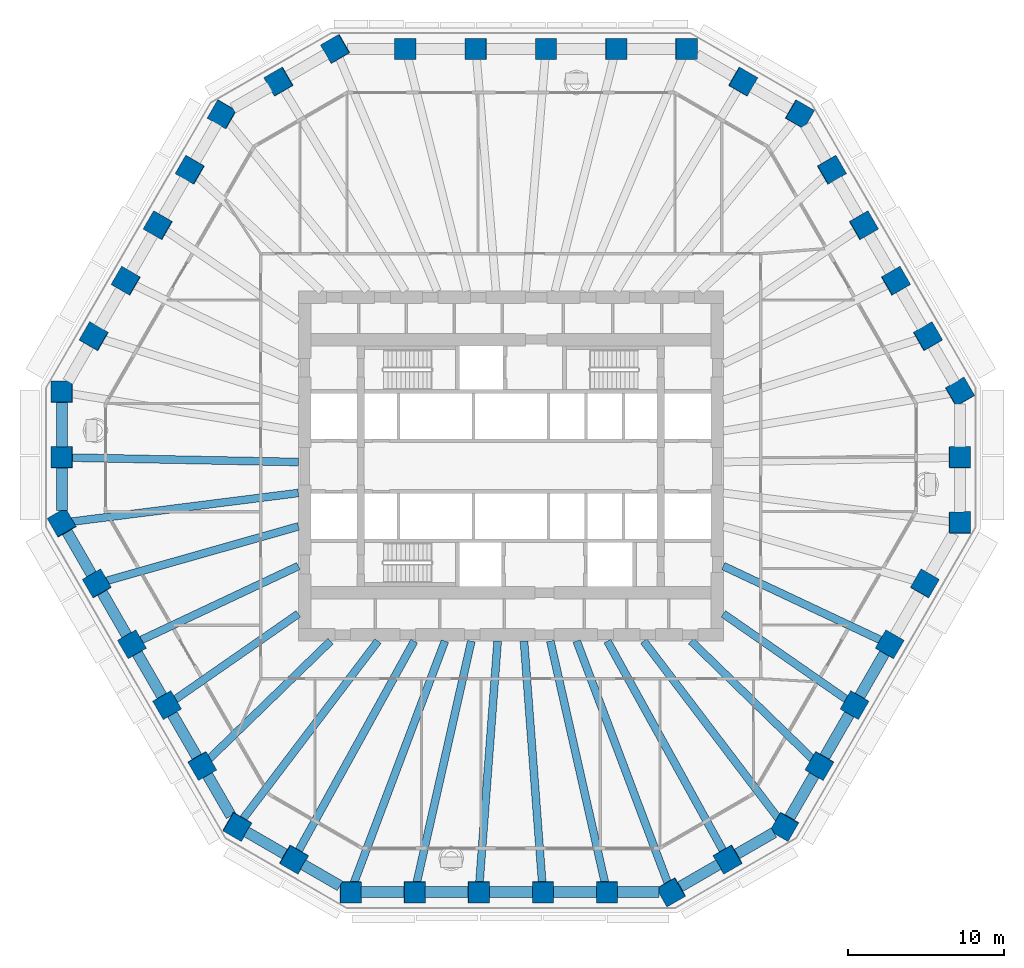
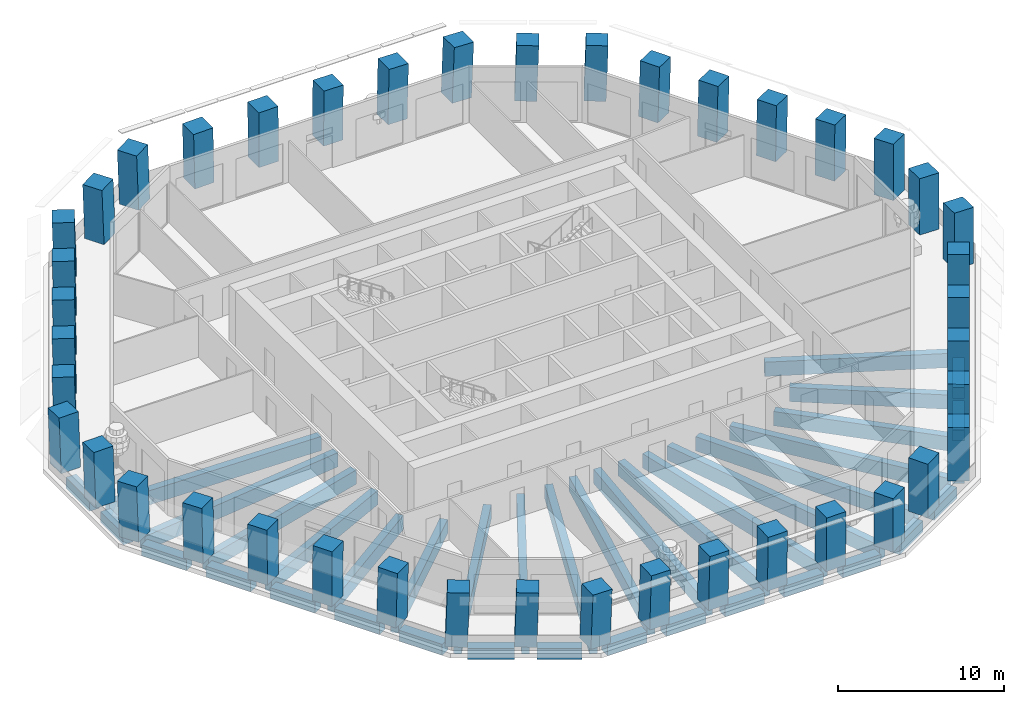
# One storey, part 1 of 13: 42 columns, 38 beams.
"""IFC4 building model written with IfcOpenShell, lengths in metres."""

from ifc_helpers import new_model, si_unit, direction, frame, origin, origin_2d, place, context, subcontext, project, spatial, rectangle, extrude, material, material_profile, profile_set, type_object, element, save


model = new_model("IFC4")

# Units and contexts
model_context = context("Model", 3, precision=1e-05, world=origin(), true_north=direction((0.0, 1.0)))
body_context = subcontext(model_context, "Body", "Model", "MODEL_VIEW")
ifc_project = project(units=[si_unit("LENGTHUNIT", "METRE"), si_unit("AREAUNIT", "SQUARE_METRE"), si_unit("VOLUMEUNIT", "CUBIC_METRE"), si_unit("PLANEANGLEUNIT", "RADIAN"), si_unit("MASSUNIT", "GRAM", prefix="KILO")], contexts=[model_context])

# Site, building, storey
site_placement = place(None, origin())
site = spatial("IfcSite", under=ifc_project, at=site_placement, CompositionType="ELEMENT")
building_placement = place(site_placement, origin())
building = spatial("IfcBuilding", under=site, at=building_placement, Name="Frailejon Research Tower", CompositionType="ELEMENT")
storey_placement = place(building_placement, frame((0.0, 0.0, 98.39990234375)))
storey = spatial("IfcBuildingStorey", under=building, at=storey_placement, Name="L21", CompositionType="ELEMENT", Elevation=98.39990234375)

# Columns
ifc_material_1 = material(Name="Concrete C70/85", Category="concrete")
ifc_material_profile_1 = material_profile(ifc_material_1, rectangle(XDim=1.35009765625, YDim=1.35009765625, at=origin_2d()), Name="Column 1350")
ifc_profile_set_1 = profile_set([ifc_material_profile_1], Name="Concrete C70/85")
column_type = type_object("IfcColumnType", Name="Column 1350", PredefinedType="COLUMN", material=ifc_profile_set_1)
for number, where, z_axis, x_axis, name in (
    (1, (28.732177734375, -3.634521484375, 0.0), (0.018132595726, 0.031445896907, 0.999340965106), (-0.001395592918, 0.999505115145, -0.031425739745), "Column C01"),
    (2, (28.732177734375, 0.552978515625, 0.0), (0.018132595726, 0.031445896907, 0.999340965106), (-0.001395592918, 0.999505115145, -0.031425739745), "Column C02"),
    (3, (28.732177734375, 4.74072265625, 0.0), (0.018132630042, 0.031385715123, 0.999342856388), (-0.500678917491, 0.865443910419, -0.018095842014), "Column C03"),
):
    element("IfcColumn", number, at=place(storey_placement, frame(where, z_axis=z_axis, x_axis=x_axis)), inside=storey, type_object=column_type, Name=name, PredefinedType="COLUMN", context=body_context, shape_type="SweptSolid", body=[
        extrude(rectangle(XDim=1.35009765625, YDim=1.35009765625, at=origin_2d()), origin(), (0.0, 0.0, 1.0), 4.052734375),
    ])
column_1_placement = place(storey_placement, frame((26.679931640625, 8.294921875, 0.0), z_axis=(0.021809609218, 0.025123223878, 0.999446429063), x_axis=(-0.499316957517, 0.86635106376, -0.010881647777)))
element("IfcColumn", 4, at=column_1_placement, inside=storey, type_object=column_type, Name="Column C04", PredefinedType="COLUMN", context=body_context, shape_type="SweptSolid", body=[
    extrude(rectangle(XDim=1.35009765625, YDim=1.35009765625, at=origin_2d()), origin(), (0.0, 0.0, 1.0), 4.05224609375),
])
for number, where, z_axis, x_axis, name in (
    (5, (24.6279296875, 11.849365234375, 0.0), (0.025365582388, 0.018858497119, 0.999500347332), (-0.501191337303, 0.865328971352, -0.0036075963), "Column C05"),
    (6, (22.57568359375, 15.40380859375, 0.0), (0.029040860623, 0.012532155622, 0.999499661576), (-0.499041572146, 0.866570424295, 0.003634419767), "Column C06"),
):
    element("IfcColumn", number, at=place(storey_placement, frame(where, z_axis=z_axis, x_axis=x_axis)), inside=storey, type_object=column_type, Name=name, PredefinedType="COLUMN", context=body_context, shape_type="SweptSolid", body=[
        extrude(rectangle(XDim=1.35009765625, YDim=1.35009765625, at=origin_2d()), origin(), (0.0, 0.0, 1.0), 4.052001953125),
    ])
column_2_placement = place(storey_placement, frame((20.523681640625, 18.9580078125, 0.0), z_axis=(0.032654187208, 0.006265748099, 0.999447069363), x_axis=(-0.499519823947, 0.866234008258, 0.010889831076)))
element("IfcColumn", 7, at=column_2_placement, inside=storey, type_object=column_type, Name="Column C07", PredefinedType="COLUMN", context=body_context, shape_type="SweptSolid", body=[
    extrude(rectangle(XDim=1.35009765625, YDim=1.35009765625, at=origin_2d()), origin(), (0.0, 0.0, 1.0), 4.05224609375),
])
for number, where, z_axis, x_axis, name in (
    (8, (18.4716796875, 22.512451171875, 0.0), (0.036265236264, 0.0, 0.999342199969), (-0.865313546461, 0.500246354177, 0.031401456084), "Column C08"),
    (9, (14.84521484375, 24.606201171875, 0.0), (0.036205074038, 0.0, 0.999344381389), (-0.865315435316, 0.500246354177, 0.031349362627), "Column C09"),
    (10, (11.218505859375, 26.699951171875, 0.0), (0.036265236264, 0.0, 0.999342199969), (-0.999342199969, 0.0, 0.036265236264), "Column C10"),
):
    element("IfcColumn", number, at=place(storey_placement, frame(where, z_axis=z_axis, x_axis=x_axis)), inside=storey, type_object=column_type, Name=name, PredefinedType="COLUMN", context=body_context, shape_type="SweptSolid", body=[
        extrude(rectangle(XDim=1.35009765625, YDim=1.35009765625, at=origin_2d()), origin(), (0.0, 0.0, 1.0), 4.052734375),
    ])
column_3_placement = place(storey_placement, frame((6.731201171875, 26.699951171875, 0.0), z_axis=(0.021756257337, 0.0, 0.999763304621), x_axis=(-0.999763304621, 0.0, 0.021756257337)))
element("IfcColumn", 11, at=column_3_placement, inside=storey, type_object=column_type, Name="Column C11", PredefinedType="COLUMN", context=body_context, shape_type="SweptSolid", body=[
    extrude(rectangle(XDim=1.35009765625, YDim=1.35009765625, at=origin_2d()), origin(), (0.0, 0.0, 1.0), 4.051025390625),
])
for number, where, z_axis, x_axis, name in (
    (12, (2.24365234375, 26.699951171875, 0.0), (0.007293795973, 0.0, 0.999973399916), (-0.999973399916, 0.0, 0.007293795973), "Column C12"),
    (13, (-2.24365234375, 26.699951171875, 0.0), (-0.007293795973, 0.0, 0.999973399916), (-0.999973399916, 0.0, -0.007293795973), "Column C13"),
):
    element("IfcColumn", number, at=place(storey_placement, frame(where, z_axis=z_axis, x_axis=x_axis)), inside=storey, type_object=column_type, Name=name, PredefinedType="COLUMN", context=body_context, shape_type="SweptSolid", body=[
        extrude(rectangle(XDim=1.35009765625, YDim=1.35009765625, at=origin_2d()), origin(), (0.0, 0.0, 1.0), 4.050048828125),
    ])
column_4_placement = place(storey_placement, frame((-6.731201171875, 26.699951171875, 0.0), z_axis=(-0.021756257337, 0.0, 0.999763304621), x_axis=(-0.999763304621, 0.0, -0.021756257337)))
element("IfcColumn", 14, at=column_4_placement, inside=storey, type_object=column_type, Name="Column C14", PredefinedType="COLUMN", context=body_context, shape_type="SweptSolid", body=[
    extrude(rectangle(XDim=1.35009765625, YDim=1.35009765625, at=origin_2d()), origin(), (0.0, 0.0, 1.0), 4.051025390625),
])
for number, where, z_axis, x_axis, name in (
    (15, (-11.218505859375, 26.699951171875, 0.0), (-0.036265236264, 0.0, 0.999342199969), (-0.865313546461, -0.500246354177, -0.031401456084), "Column C15"),
    (16, (-14.84521484375, 24.606201171875, 0.0), (-0.036205074038, 0.0, 0.999344381389), (-0.865315435316, -0.500246354177, -0.031349362627), "Column C16"),
    (17, (-18.4716796875, 22.512451171875, 0.0), (-0.036265236264, 0.0, 0.999342199969), (-0.499424867419, -0.866167613071, -0.018123682572), "Column C17"),
):
    element("IfcColumn", number, at=place(storey_placement, frame(where, z_axis=z_axis, x_axis=x_axis)), inside=storey, type_object=column_type, Name=name, PredefinedType="COLUMN", context=body_context, shape_type="SweptSolid", body=[
        extrude(rectangle(XDim=1.35009765625, YDim=1.35009765625, at=origin_2d()), origin(), (0.0, 0.0, 1.0), 4.052734375),
    ])
column_5_placement = place(storey_placement, frame((-20.523681640625, 18.9580078125, 0.0), z_axis=(-0.032654187208, 0.006265748099, 0.999447069363), x_axis=(-0.499519823947, -0.866234008258, -0.010889831076)))
element("IfcColumn", 18, at=column_5_placement, inside=storey, type_object=column_type, Name="Column C18", PredefinedType="COLUMN", context=body_context, shape_type="SweptSolid", body=[
    extrude(rectangle(XDim=1.35009765625, YDim=1.35009765625, at=origin_2d()), origin(), (0.0, 0.0, 1.0), 4.05224609375),
])
for number, where, z_axis, x_axis, name in (
    (19, (-22.57568359375, 15.40380859375, 0.0), (-0.029040860623, 0.012532155622, 0.999499661576), (-0.499041572146, -0.866570424295, -0.003634419767), "Column C19"),
    (20, (-24.6279296875, 11.849365234375, 0.0), (-0.025365582388, 0.018858497119, 0.999500347332), (-0.501191337303, -0.865328971352, 0.0036075963), "Column C20"),
):
    element("IfcColumn", number, at=place(storey_placement, frame(where, z_axis=z_axis, x_axis=x_axis)), inside=storey, type_object=column_type, Name=name, PredefinedType="COLUMN", context=body_context, shape_type="SweptSolid", body=[
        extrude(rectangle(XDim=1.35009765625, YDim=1.35009765625, at=origin_2d()), origin(), (0.0, 0.0, 1.0), 4.052001953125),
    ])
column_6_placement = place(storey_placement, frame((-26.679931640625, 8.294921875, 0.0), z_axis=(-0.021809609218, 0.025123223878, 0.999446429063), x_axis=(-0.499316957517, -0.86635106376, 0.010881647777)))
element("IfcColumn", 21, at=column_6_placement, inside=storey, type_object=column_type, Name="Column C21", PredefinedType="COLUMN", context=body_context, shape_type="SweptSolid", body=[
    extrude(rectangle(XDim=1.35009765625, YDim=1.35009765625, at=origin_2d()), origin(), (0.0, 0.0, 1.0), 4.05224609375),
])
for number, where, z_axis, x_axis, name in (
    (22, (-28.732177734375, 4.74072265625, 0.0), (-0.018132630042, 0.031385715123, 0.999342856388), (-0.000879091474, -0.999507299139, 0.031374928948), "Column C22"),
    (23, (-28.732177734375, 0.552978515625, 0.0), (-0.018132595726, 0.031445896907, 0.999340965106), (-0.001395592918, -0.999505115145, 0.031425739745), "Column C23"),
    (24, (-28.732177734375, -3.634521484375, 0.0), (-0.018132595726, 0.031445896907, 0.999340965106), (0.498955201563, -0.865867236636, 0.036299247284), "Column C24"),
):
    element("IfcColumn", number, at=place(storey_placement, frame(where, z_axis=z_axis, x_axis=x_axis)), inside=storey, type_object=column_type, Name=name, PredefinedType="COLUMN", context=body_context, shape_type="SweptSolid", body=[
        extrude(rectangle(XDim=1.35009765625, YDim=1.35009765625, at=origin_2d()), origin(), (0.0, 0.0, 1.0), 4.052734375),
    ])
column_7_placement = place(storey_placement, frame((-26.48828125, -7.520751953125, 0.0), z_axis=(-0.010908253887, 0.018863444567, 0.99976256204), x_axis=(0.500638377412, -0.865382225109, 0.021790354016)))
element("IfcColumn", 25, at=column_7_placement, inside=storey, type_object=column_type, Name="Column C25", PredefinedType="COLUMN", context=body_context, shape_type="SweptSolid", body=[
    extrude(rectangle(XDim=1.35009765625, YDim=1.35009765625, at=origin_2d()), origin(), (0.0, 0.0, 1.0), 4.051025390625),
])
for number, where, z_axis, x_axis, name in (
    (26, (-24.24462890625, -11.406982421875, 0.0), (-0.003677036938, 0.006329325876, 0.999973209158), (0.502147149997, -0.864751212075, 0.007319901948), "Column C26"),
    (27, (-22.0009765625, -15.293212890625, 0.0), (0.003616759812, -0.006269050341, 0.999973808685), (0.501883236828, -0.864905101718, -0.007237514304), "Column C27"),
):
    element("IfcColumn", number, at=place(storey_placement, frame(where, z_axis=z_axis, x_axis=x_axis)), inside=storey, type_object=column_type, Name=name, PredefinedType="COLUMN", context=body_context, shape_type="SweptSolid", body=[
        extrude(rectangle(XDim=1.35009765625, YDim=1.35009765625, at=origin_2d()), origin(), (0.0, 0.0, 1.0), 4.050048828125),
    ])
column_8_placement = place(storey_placement, frame((-19.75732421875, -19.17919921875, 0.0), z_axis=(0.010908253887, -0.018863444567, 0.99976256204), x_axis=(0.500638377412, -0.865382225109, -0.021790354016)))
element("IfcColumn", 28, at=column_8_placement, inside=storey, type_object=column_type, Name="Column C28", PredefinedType="COLUMN", context=body_context, shape_type="SweptSolid", body=[
    extrude(rectangle(XDim=1.35009765625, YDim=1.35009765625, at=origin_2d()), origin(), (0.0, 0.0, 1.0), 4.051025390625),
])
for number, where, z_axis, x_axis, name in (
    (29, (-17.513671875, -23.0654296875, 0.0), (0.018132595726, -0.031445896907, 0.999340965106), (0.865740985748, -0.499504693256, -0.031426215359), "Column C29"),
    (30, (-13.88720703125, -25.1591796875, 0.0), (0.018132595726, -0.031445896907, 0.999340965106), (0.865469370655, -0.499974541214, -0.031436071558), "Column C30"),
    (31, (-10.260498046875, -27.253173828125, 0.0), (0.018132630042, -0.031385715123, 0.999342856388), (0.999835440934, 0.001115627466, -0.018106529978), "Column C31"),
):
    element("IfcColumn", number, at=place(storey_placement, frame(where, z_axis=z_axis, x_axis=x_axis)), inside=storey, type_object=column_type, Name=name, PredefinedType="COLUMN", context=body_context, shape_type="SweptSolid", body=[
        extrude(rectangle(XDim=1.35009765625, YDim=1.35009765625, at=origin_2d()), origin(), (0.0, 0.0, 1.0), 4.052734375),
    ])
column_9_placement = place(storey_placement, frame((-6.15625, -27.253173828125, 0.0), z_axis=(0.010844578562, -0.031389030172, 0.999448409824), x_axis=(0.999940901456, -0.000426521309, -0.010863317853)))
element("IfcColumn", 32, at=column_9_placement, inside=storey, type_object=column_type, Name="Column C32", PredefinedType="COLUMN", context=body_context, shape_type="SweptSolid", body=[
    extrude(rectangle(XDim=1.35009765625, YDim=1.35009765625, at=origin_2d()), origin(), (0.0, 0.0, 1.0), 4.05224609375),
])
for number, where, z_axis, x_axis, name in (
    (33, (-2.052001953125, -27.253173828125, 0.0), (0.00361504848, -0.031390670968, 0.999500653927), (0.999993330164, -0.00040689317, -0.003629609449), "Column C33"),
    (34, (2.052001953125, -27.253173828125, 0.0), (-0.00361504848, -0.031390670968, 0.999500653927), (0.999993330164, 0.00040689317, 0.003629609449), "Column C34"),
):
    element("IfcColumn", number, at=place(storey_placement, frame(where, z_axis=z_axis, x_axis=x_axis)), inside=storey, type_object=column_type, Name=name, PredefinedType="COLUMN", context=body_context, shape_type="SweptSolid", body=[
        extrude(rectangle(XDim=1.35009765625, YDim=1.35009765625, at=origin_2d()), origin(), (0.0, 0.0, 1.0), 4.052001953125),
    ])
column_10_placement = place(storey_placement, frame((6.15625, -27.253173828125, 0.0), z_axis=(-0.010844578562, -0.031389030172, 0.999448409824), x_axis=(0.999940901456, 0.000426521309, 0.010863317853)))
element("IfcColumn", 35, at=column_10_placement, inside=storey, type_object=column_type, Name="Column C35", PredefinedType="COLUMN", context=body_context, shape_type="SweptSolid", body=[
    extrude(rectangle(XDim=1.35009765625, YDim=1.35009765625, at=origin_2d()), origin(), (0.0, 0.0, 1.0), 4.05224609375),
])
for number, where, z_axis, x_axis, name in (
    (36, (10.260498046875, -27.253173828125, 0.0), (-0.018132630042, -0.031385715123, 0.999342856388), (0.866156195426, 0.498787200508, 0.031381104725), "Column C36"),
    (37, (13.88720703125, -25.1591796875, 0.0), (-0.018132595726, -0.031445896907, 0.999340965106), (0.865469370655, 0.499974541214, 0.031436071558), "Column C37"),
    (38, (17.513671875, -23.0654296875, 0.0), (-0.018132595726, -0.031445896907, 0.999340965106), (0.499425428362, 0.865596098728, 0.036299247542), "Column C38"),
):
    element("IfcColumn", number, at=place(storey_placement, frame(where, z_axis=z_axis, x_axis=x_axis)), inside=storey, type_object=column_type, Name=name, PredefinedType="COLUMN", context=body_context, shape_type="SweptSolid", body=[
        extrude(rectangle(XDim=1.35009765625, YDim=1.35009765625, at=origin_2d()), origin(), (0.0, 0.0, 1.0), 4.052734375),
    ])
column_11_placement = place(storey_placement, frame((19.75732421875, -19.17919921875, 0.0), z_axis=(-0.010908253887, -0.018863444567, 0.99976256204), x_axis=(0.500638377412, 0.865382225109, 0.021790354016)))
element("IfcColumn", 39, at=column_11_placement, inside=storey, type_object=column_type, Name="Column C39", PredefinedType="COLUMN", context=body_context, shape_type="SweptSolid", body=[
    extrude(rectangle(XDim=1.35009765625, YDim=1.35009765625, at=origin_2d()), origin(), (0.0, 0.0, 1.0), 4.051025390625),
])
for number, where, z_axis, x_axis, name in (
    (40, (22.0009765625, -15.293212890625, 0.0), (-0.003616759812, -0.006269050341, 0.999973808685), (0.501883236828, 0.864905101718, 0.007237514304), "Column C40"),
    (41, (24.24462890625, -11.406982421875, 0.0), (0.003677036938, 0.006329325876, 0.999973209158), (0.502147149997, 0.864751212075, -0.007319901948), "Column C41"),
):
    element("IfcColumn", number, at=place(storey_placement, frame(where, z_axis=z_axis, x_axis=x_axis)), inside=storey, type_object=column_type, Name=name, PredefinedType="COLUMN", context=body_context, shape_type="SweptSolid", body=[
        extrude(rectangle(XDim=1.35009765625, YDim=1.35009765625, at=origin_2d()), origin(), (0.0, 0.0, 1.0), 4.050048828125),
    ])
column_12_placement = place(storey_placement, frame((26.48828125, -7.520751953125, 0.0), z_axis=(0.010908253887, 0.018863444567, 0.99976256204), x_axis=(0.500638377412, 0.865382225109, -0.021790354016)))
element("IfcColumn", 42, at=column_12_placement, inside=storey, type_object=column_type, Name="Column C42", PredefinedType="COLUMN", context=body_context, shape_type="SweptSolid", body=[
    extrude(rectangle(XDim=1.35009765625, YDim=1.35009765625, at=origin_2d()), origin(), (0.0, 0.0, 1.0), 4.051025390625),
])

# Beams
ifc_material_2 = material(Name="Concrete C60/75", Category="concrete")
ifc_material_profile_2 = material_profile(ifc_material_2, rectangle(XDim=0.5, YDim=1.050048828125, at=origin_2d()), Name="Girder 500x1050")
ifc_profile_set_2 = profile_set([ifc_material_profile_2], Name="Concrete C60/75")
beam_type_1 = type_object("IfcBeamType", Name="Girder 500x1050", PredefinedType="BEAM", material=ifc_profile_set_2)
beam_1_placement = place(storey_placement, frame((-28.20703125, 0.54296875, -0.824951171875), z_axis=(0.999814682591, -0.019250986367, 0.0), x_axis=(0.019250986367, 0.999814682591, 0.0)))
element("IfcBeam", 43, at=beam_1_placement, inside=storey, type_object=beam_type_1, Name="Girder 500x1050", PredefinedType="BEAM", context=body_context, shape_type="SweptSolid", body=[
    extrude(rectangle(XDim=0.5, YDim=1.050048828125, at=origin_2d()), origin(), (0.0, 0.0, 1.0), 14.609619140625),
])
beam_2_placement = place(storey_placement, frame((-28.154541015625, -3.561279296875, -0.824951171875), z_axis=(0.99209425555, 0.125494972425, 0.0), x_axis=(-0.125494972425, 0.99209425555, 0.0)))
element("IfcBeam", 44, at=beam_2_placement, inside=storey, type_object=beam_type_1, Name="Girder 500x1050", PredefinedType="BEAM", context=body_context, shape_type="SweptSolid", body=[
    extrude(rectangle(XDim=0.5, YDim=1.050048828125, at=origin_2d()), origin(), (0.0, 0.0, 1.0), 14.67041015625),
])
beam_3_placement = place(storey_placement, frame((-25.962890625, -7.37158203125, -0.824951171875), z_axis=(0.961974277101, 0.273140056008, 0.0), x_axis=(-0.273140056008, 0.961974277101, 0.0)))
element("IfcBeam", 45, at=beam_3_placement, inside=storey, type_object=beam_type_1, Name="Girder 500x1050", PredefinedType="BEAM", context=body_context, shape_type="SweptSolid", body=[
    extrude(rectangle(XDim=0.5, YDim=1.050048828125, at=origin_2d()), origin(), (0.0, 0.0, 1.0), 12.8515625),
])
beam_4_placement = place(storey_placement, frame((-23.767578125, -11.182373046875, -0.824951171875), z_axis=(0.904853167399, 0.425723790088, 0.0), x_axis=(-0.425723790088, 0.904853167399, 0.0)))
element("IfcBeam", 46, at=beam_4_placement, inside=storey, type_object=beam_type_1, Name="Girder 500x1050", PredefinedType="BEAM", context=body_context, shape_type="SweptSolid", body=[
    extrude(rectangle(XDim=0.5, YDim=1.050048828125, at=origin_2d()), origin(), (0.0, 0.0, 1.0), 11.236572265625),
])
beam_5_placement = place(storey_placement, frame((-21.568115234375, -14.9921875, -0.824951171875), z_axis=(0.821117442967, 0.570759270495, 0.0), x_axis=(-0.570759270495, 0.821117442967, 0.0)))
element("IfcBeam", 47, at=beam_5_placement, inside=storey, type_object=beam_type_1, Name="Girder 500x1050", PredefinedType="BEAM", context=body_context, shape_type="SweptSolid", body=[
    extrude(rectangle(XDim=0.5, YDim=1.050048828125, at=origin_2d()), origin(), (0.0, 0.0, 1.0), 9.703857421875),
])
beam_6_placement = place(storey_placement, frame((-19.365478515625, -18.798828125, -0.824951171875), z_axis=(0.717524438806, 0.696533329939, 0.0), x_axis=(-0.696533329939, 0.717524438806, 0.0)))
element("IfcBeam", 48, at=beam_6_placement, inside=storey, type_object=beam_type_1, Name="Girder 500x1050", PredefinedType="BEAM", context=body_context, shape_type="SweptSolid", body=[
    extrude(rectangle(XDim=0.5, YDim=1.050048828125, at=origin_2d()), origin(), (0.0, 0.0, 1.0), 10.90966796875),
])
beam_7_placement = place(storey_placement, frame((-17.19287109375, -22.64306640625, -0.824951171875), z_axis=(0.604728202158, 0.796431918945, 0.0), x_axis=(-0.796431918945, 0.604728202158, 0.0)))
element("IfcBeam", 49, at=beam_7_placement, inside=storey, type_object=beam_type_1, Name="Girder 500x1050", PredefinedType="BEAM", context=body_context, shape_type="SweptSolid", body=[
    extrude(rectangle(XDim=0.5, YDim=1.050048828125, at=origin_2d()), origin(), (0.0, 0.0, 1.0), 14.367919921875),
])
beam_8_placement = place(storey_placement, frame((-13.63330078125, -24.69970703125, -0.824951171875), z_axis=(0.483240153613, 0.875487837686, 0.0), x_axis=(-0.875487837686, 0.483240153613, 0.0)))
element("IfcBeam", 50, at=beam_8_placement, inside=storey, type_object=beam_type_1, Name="Girder 500x1050", PredefinedType="BEAM", context=body_context, shape_type="SweptSolid", body=[
    extrude(rectangle(XDim=0.5, YDim=1.050048828125, at=origin_2d()), origin(), (0.0, 0.0, 1.0), 15.419677734375),
])
beam_9_placement = place(storey_placement, frame((-10.05908203125, -26.718505859375, -0.824951171875), z_axis=(0.352330062234, 0.935875807598, 0.0), x_axis=(-0.935875807598, 0.352330062234, 0.0)))
element("IfcBeam", 51, at=beam_9_placement, inside=storey, type_object=beam_type_1, Name="Girder 500x1050", PredefinedType="BEAM", context=body_context, shape_type="SweptSolid", body=[
    extrude(rectangle(XDim=0.5, YDim=1.050048828125, at=origin_2d()), origin(), (0.0, 0.0, 1.0), 16.581787109375),
])
beam_10_placement = place(storey_placement, frame((-6.036865234375, -26.724365234375, -0.824951171875), z_axis=(0.220339969072, 0.97542313794, 0.0), x_axis=(-0.97542313794, 0.220339969072, 0.0)))
element("IfcBeam", 52, at=beam_10_placement, inside=storey, type_object=beam_type_1, Name="Girder 500x1050", PredefinedType="BEAM", context=body_context, shape_type="SweptSolid", body=[
    extrude(rectangle(XDim=0.5, YDim=1.050048828125, at=origin_2d()), origin(), (0.0, 0.0, 1.0), 15.91552734375),
])
for number, where, z_axis, x_axis, name in (
    (53, (-2.012451171875, -26.727783203125, -0.824951171875), (0.075083829623, 0.997177225236, 0.0), (-0.997177225236, 0.075083829623, 0.0), "Girder 500x1050"),
    (54, (2.012451171875, -26.727783203125, -0.824951171875), (-0.075083829623, 0.997177225236, 0.0), (-0.997177225236, -0.075083829623, 0.0), "Girder 500x1050"),
):
    element("IfcBeam", number, at=place(storey_placement, frame(where, z_axis=z_axis, x_axis=x_axis)), inside=storey, type_object=beam_type_1, Name=name, PredefinedType="BEAM", context=body_context, shape_type="SweptSolid", body=[
        extrude(rectangle(XDim=0.5, YDim=1.050048828125, at=origin_2d()), origin(), (0.0, 0.0, 1.0), 15.57177734375),
    ])
beam_11_placement = place(storey_placement, frame((6.036865234375, -26.724365234375, -0.824951171875), z_axis=(-0.220339969072, 0.97542313794, 0.0), x_axis=(-0.97542313794, -0.220339969072, 0.0)))
element("IfcBeam", 55, at=beam_11_placement, inside=storey, type_object=beam_type_1, Name="Girder 500x1050", PredefinedType="BEAM", context=body_context, shape_type="SweptSolid", body=[
    extrude(rectangle(XDim=0.5, YDim=1.050048828125, at=origin_2d()), origin(), (0.0, 0.0, 1.0), 15.91552734375),
])
beam_12_placement = place(storey_placement, frame((10.072265625, -26.753173828125, -0.824951171875), z_axis=(-0.352337024798, 0.935873186365, 0.0), x_axis=(-0.935873186365, -0.352337024798, 0.0)))
element("IfcBeam", 56, at=beam_12_placement, inside=storey, type_object=beam_type_1, Name="Girder 500x1050", PredefinedType="BEAM", context=body_context, shape_type="SweptSolid", body=[
    extrude(rectangle(XDim=0.5, YDim=1.050048828125, at=origin_2d()), origin(), (0.0, 0.0, 1.0), 16.618896484375),
])
beam_13_placement = place(storey_placement, frame((13.63330078125, -24.69970703125, -0.824951171875), z_axis=(-0.483240153613, 0.875487837686, 0.0), x_axis=(-0.875487837686, -0.483240153613, 0.0)))
element("IfcBeam", 57, at=beam_13_placement, inside=storey, type_object=beam_type_1, Name="Girder 500x1050", PredefinedType="BEAM", context=body_context, shape_type="SweptSolid", body=[
    extrude(rectangle(XDim=0.5, YDim=1.050048828125, at=origin_2d()), origin(), (0.0, 0.0, 1.0), 15.419677734375),
])
beam_14_placement = place(storey_placement, frame((17.16162109375, -22.601806640625, -0.824951171875), z_axis=(-0.604731676137, 0.796429281152, 0.0), x_axis=(-0.796429281152, -0.604731676137, 0.0)))
element("IfcBeam", 58, at=beam_14_placement, inside=storey, type_object=beam_type_1, Name="Girder 500x1050", PredefinedType="BEAM", context=body_context, shape_type="SweptSolid", body=[
    extrude(rectangle(XDim=0.5, YDim=1.050048828125, at=origin_2d()), origin(), (0.0, 0.0, 1.0), 14.316162109375),
])
beam_15_placement = place(storey_placement, frame((19.365478515625, -18.798828125, -0.824951171875), z_axis=(-0.717524438806, 0.696533329939, 0.0), x_axis=(-0.696533329939, -0.717524438806, 0.0)))
element("IfcBeam", 59, at=beam_15_placement, inside=storey, type_object=beam_type_1, Name="Girder 500x1050", PredefinedType="BEAM", context=body_context, shape_type="SweptSolid", body=[
    extrude(rectangle(XDim=0.5, YDim=1.050048828125, at=origin_2d()), origin(), (0.0, 0.0, 1.0), 10.90966796875),
])
beam_16_placement = place(storey_placement, frame((21.568115234375, -14.9921875, -0.824951171875), z_axis=(-0.821117442967, 0.570759270495, 0.0), x_axis=(-0.570759270495, -0.821117442967, 0.0)))
element("IfcBeam", 60, at=beam_16_placement, inside=storey, type_object=beam_type_1, Name="Girder 500x1050", PredefinedType="BEAM", context=body_context, shape_type="SweptSolid", body=[
    extrude(rectangle(XDim=0.5, YDim=1.050048828125, at=origin_2d()), origin(), (0.0, 0.0, 1.0), 9.703857421875),
])
beam_17_placement = place(storey_placement, frame((23.767578125, -11.182373046875, -0.824951171875), z_axis=(-0.904853167399, 0.425723790088, 0.0), x_axis=(-0.425723790088, -0.904853167399, 0.0)))
element("IfcBeam", 61, at=beam_17_placement, inside=storey, type_object=beam_type_1, Name="Girder 500x1050", PredefinedType="BEAM", context=body_context, shape_type="SweptSolid", body=[
    extrude(rectangle(XDim=0.5, YDim=1.050048828125, at=origin_2d()), origin(), (0.0, 0.0, 1.0), 11.236572265625),
])
ifc_material_3 = material(Name="Concrete C60/75", Category="concrete")
ifc_material_profile_3 = material_profile(ifc_material_3, rectangle(XDim=0.699951171875, YDim=0.800048828125, at=origin_2d()), Name="Spandrel 700x800")
ifc_profile_set_3 = profile_set([ifc_material_profile_3], Name="Concrete C60/75")
beam_type_2 = type_object("IfcBeamType", Name="Spandrel 700x800", PredefinedType="BEAM", material=ifc_profile_set_3)
beam_18_placement = place(storey_placement, frame((-28.732177734375, 4.065673828125, -0.75), z_axis=(0.0, -1.0, 0.0), x_axis=(1.0, 0.0, 0.0)))
element("IfcBeam", 62, at=beam_18_placement, inside=storey, type_object=beam_type_2, Name="Spandrel 700x800", PredefinedType="BEAM", context=body_context, shape_type="SweptSolid", body=[
    extrude(rectangle(XDim=0.699951171875, YDim=0.800048828125, at=origin_2d()), origin(), (0.0, 0.0, 1.0), 2.837646484375),
])
beam_19_placement = place(storey_placement, frame((-28.732177734375, -0.121826171875, -0.75), z_axis=(0.0, -1.0, 0.0), x_axis=(1.0, 0.0, 0.0)))
element("IfcBeam", 63, at=beam_19_placement, inside=storey, type_object=beam_type_2, Name="Spandrel 700x800", PredefinedType="BEAM", context=body_context, shape_type="SweptSolid", body=[
    extrude(rectangle(XDim=0.699951171875, YDim=0.800048828125, at=origin_2d()), origin(), (0.0, 0.0, 1.0), 2.733154296875),
])
for number, where, z_axis, x_axis, name in (
    (64, (-28.39453125, -4.218994140625, -0.75), (0.499980673046, -0.866036561919, 0.0), (0.866036561919, 0.499980673046, 0.0), "Spandrel 700x800"),
    (65, (-26.15087890625, -8.105224609375, -0.75), (0.499980673046, -0.866036561919, 0.0), (0.866036561919, 0.499980673046, 0.0), "Spandrel 700x800"),
):
    element("IfcBeam", number, at=place(storey_placement, frame(where, z_axis=z_axis, x_axis=x_axis)), inside=storey, type_object=beam_type_2, Name=name, PredefinedType="BEAM", context=body_context, shape_type="SweptSolid", body=[
        extrude(rectangle(XDim=0.699951171875, YDim=0.800048828125, at=origin_2d()), origin(), (0.0, 0.0, 1.0), 3.13720703125),
    ])
for number, where, z_axis, x_axis, name in (
    (66, (-23.9072265625, -11.991455078125, -0.75), (0.500039034646, -0.866002865948, 0.0), (0.866002865948, 0.500039034646, 0.0), "Spandrel 700x800"),
    (67, (-21.66357421875, -15.877685546875, -0.75), (0.500039034646, -0.866002865948, 0.0), (0.866002865948, 0.500039034646, 0.0), "Spandrel 700x800"),
):
    element("IfcBeam", number, at=place(storey_placement, frame(where, z_axis=z_axis, x_axis=x_axis)), inside=storey, type_object=beam_type_2, Name=name, PredefinedType="BEAM", context=body_context, shape_type="SweptSolid", body=[
        extrude(rectangle(XDim=0.699951171875, YDim=0.800048828125, at=origin_2d()), origin(), (0.0, 0.0, 1.0), 3.137451171875),
    ])
beam_20_placement = place(storey_placement, frame((-19.419921875, -19.763916015625, -0.75), z_axis=(0.500052270574, -0.865995223251, 0.0), x_axis=(0.865995223251, 0.500052270574, 0.0)))
element("IfcBeam", 68, at=beam_20_placement, inside=storey, type_object=beam_type_2, Name="Spandrel 700x800", PredefinedType="BEAM", context=body_context, shape_type="SweptSolid", body=[
    extrude(rectangle(XDim=0.699951171875, YDim=0.800048828125, at=origin_2d()), origin(), (0.0, 0.0, 1.0), 3.032958984375),
])
beam_21_placement = place(storey_placement, frame((-16.928955078125, -23.403076171875, -0.75), z_axis=(0.866026538634, -0.499998034377, 0.0), x_axis=(0.499998034377, 0.866026538634, 0.0)))
element("IfcBeam", 69, at=beam_21_placement, inside=storey, type_object=beam_type_2, Name="Spandrel 700x800", PredefinedType="BEAM", context=body_context, shape_type="SweptSolid", body=[
    extrude(rectangle(XDim=0.699951171875, YDim=0.800048828125, at=origin_2d()), origin(), (0.0, 0.0, 1.0), 2.83740234375),
])
beam_22_placement = place(storey_placement, frame((-13.302490234375, -25.496826171875, -0.75), z_axis=(0.866041295585, -0.499972473583, 0.0), x_axis=(0.499972473583, 0.866041295585, 0.0)))
element("IfcBeam", 70, at=beam_22_placement, inside=storey, type_object=beam_type_2, Name="Spandrel 700x800", PredefinedType="BEAM", context=body_context, shape_type="SweptSolid", body=[
    extrude(rectangle(XDim=0.699951171875, YDim=0.800048828125, at=origin_2d()), origin(), (0.0, 0.0, 1.0), 2.733154296875),
])
for number, where, z_axis, x_axis, name in (
    (71, (-9.58544921875, -27.253173828125, -0.75), (1.0, 0.0, 0.0), (0.0, 1.0, 0.0), "Spandrel 700x800"),
    (72, (-5.481201171875, -27.253173828125, -0.75), (1.0, 0.0, 0.0), (0.0, 1.0, 0.0), "Spandrel 700x800"),
):
    element("IfcBeam", number, at=place(storey_placement, frame(where, z_axis=z_axis, x_axis=x_axis)), inside=storey, type_object=beam_type_2, Name=name, PredefinedType="BEAM", context=body_context, shape_type="SweptSolid", body=[
        extrude(rectangle(XDim=0.699951171875, YDim=0.800048828125, at=origin_2d()), origin(), (0.0, 0.0, 1.0), 2.754150390625),
    ])
beam_23_placement = place(storey_placement, frame((-1.377197265625, -27.253173828125, -0.75), z_axis=(1.0, 0.0, 0.0), x_axis=(0.0, 1.0, 0.0)))
element("IfcBeam", 73, at=beam_23_placement, inside=storey, type_object=beam_type_2, Name="Spandrel 700x800", PredefinedType="BEAM", context=body_context, shape_type="SweptSolid", body=[
    extrude(rectangle(XDim=0.699951171875, YDim=0.800048828125, at=origin_2d()), origin(), (0.0, 0.0, 1.0), 2.75439453125),
])
beam_24_placement = place(storey_placement, frame((2.72705078125, -27.253173828125, -0.75), z_axis=(1.0, 0.0, 0.0), x_axis=(0.0, 1.0, 0.0)))
element("IfcBeam", 74, at=beam_24_placement, inside=storey, type_object=beam_type_2, Name="Spandrel 700x800", PredefinedType="BEAM", context=body_context, shape_type="SweptSolid", body=[
    extrude(rectangle(XDim=0.699951171875, YDim=0.800048828125, at=origin_2d()), origin(), (0.0, 0.0, 1.0), 2.754150390625),
])
beam_25_placement = place(storey_placement, frame((6.831298828125, -27.253173828125, -0.75), z_axis=(1.0, 0.0, 0.0), x_axis=(0.0, 1.0, 0.0)))
element("IfcBeam", 75, at=beam_25_placement, inside=storey, type_object=beam_type_2, Name="Spandrel 700x800", PredefinedType="BEAM", context=body_context, shape_type="SweptSolid", body=[
    extrude(rectangle(XDim=0.699951171875, YDim=0.800048828125, at=origin_2d()), origin(), (0.0, 0.0, 1.0), 2.64990234375),
])
beam_26_placement = place(storey_placement, frame((10.84521484375, -26.91552734375, -0.75), z_axis=(0.866026538634, 0.499998034377, 0.0), x_axis=(-0.499998034377, 0.866026538634, 0.0)))
element("IfcBeam", 76, at=beam_26_placement, inside=storey, type_object=beam_type_2, Name="Spandrel 700x800", PredefinedType="BEAM", context=body_context, shape_type="SweptSolid", body=[
    extrude(rectangle(XDim=0.699951171875, YDim=0.800048828125, at=origin_2d()), origin(), (0.0, 0.0, 1.0), 2.83740234375),
])
beam_27_placement = place(storey_placement, frame((14.4716796875, -24.82177734375, -0.75), z_axis=(0.866002615699, 0.500039468044, 0.0), x_axis=(-0.500039468044, 0.866002615699, 0.0)))
element("IfcBeam", 77, at=beam_27_placement, inside=storey, type_object=beam_type_2, Name="Spandrel 700x800", PredefinedType="BEAM", context=body_context, shape_type="SweptSolid", body=[
    extrude(rectangle(XDim=0.699951171875, YDim=0.800048828125, at=origin_2d()), origin(), (0.0, 0.0, 1.0), 2.733154296875),
])
for number, where, z_axis, x_axis, name in (
    (78, (17.85107421875, -22.48095703125, -0.75), (0.500039034646, 0.866002865948, 0.0), (-0.866002865948, 0.500039034646, 0.0), "Spandrel 700x800"),
    (79, (20.0947265625, -18.5947265625, -0.75), (0.500039034646, 0.866002865948, 0.0), (-0.866002865948, 0.500039034646, 0.0), "Spandrel 700x800"),
    (80, (22.33837890625, -14.70849609375, -0.75), (0.500039034646, 0.866002865948, 0.0), (-0.866002865948, 0.500039034646, 0.0), "Spandrel 700x800"),
):
    element("IfcBeam", number, at=place(storey_placement, frame(where, z_axis=z_axis, x_axis=x_axis)), inside=storey, type_object=beam_type_2, Name=name, PredefinedType="BEAM", context=body_context, shape_type="SweptSolid", body=[
        extrude(rectangle(XDim=0.699951171875, YDim=0.800048828125, at=origin_2d()), origin(), (0.0, 0.0, 1.0), 3.137451171875),
    ])

save(model, "model.ifc")
